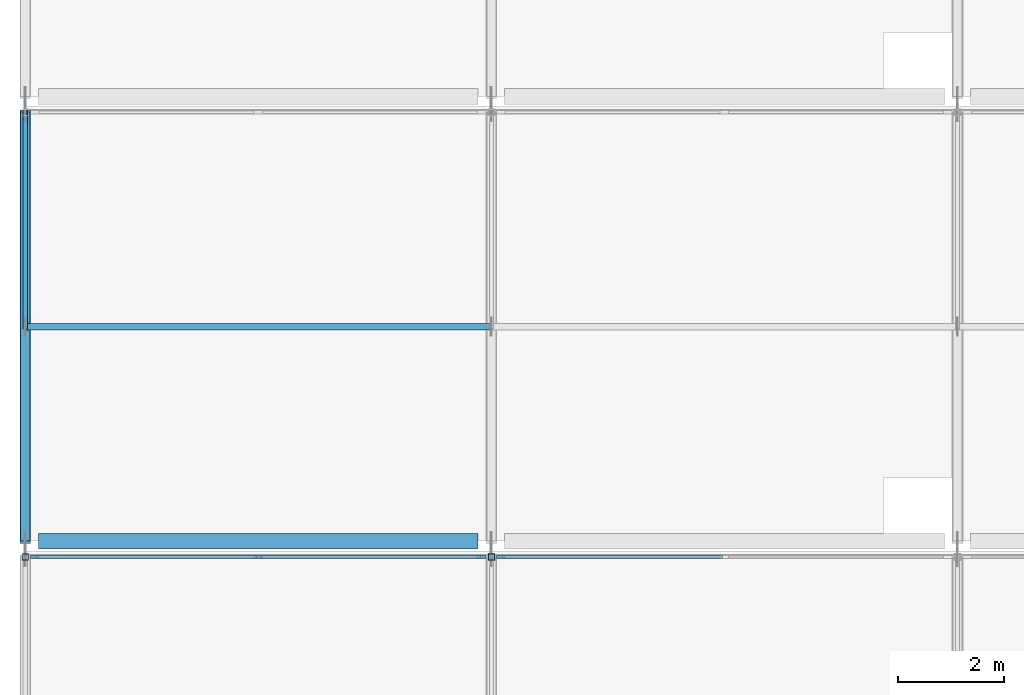
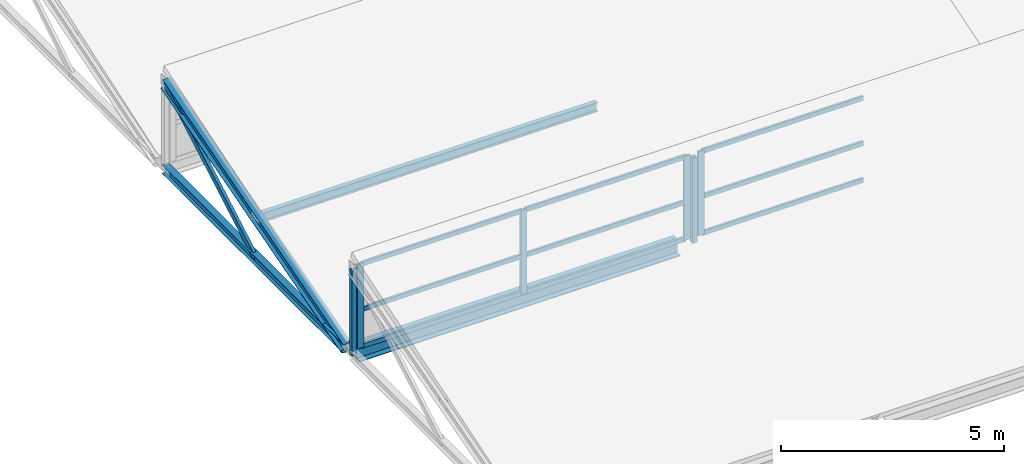
# One storey, part 2 of 40: 19 members, 1 beam, 2 elements without a shape of their own.
"""IFC4 building model written with IfcOpenShell, lengths in metres."""

import ifcopenshell
import ifcopenshell.guid

model = None  # the IFC model being written
_history = None  # IfcOwnerHistory: only IFC2X3 demands one
_inside = {}  # id of a spatial element -> (the spatial element, [elements in it])
_under = {}  # id of a project, library or spatial element -> (it, [spatial elements below it])
_declared = {}  # id of a project -> (the project, [libraries it declares])
_typed = {}  # id of a type object -> (the type object, [elements of that type])
_made_of = {}  # id of a material, layer set ... -> (it, [elements and type objects made of it])


def new_model(schema):
    """Start an empty IFC model of exactly this schema.

    Asked for "IFC4X3", IfcOpenShell would pick the latest addendum, in which some entities
    have other attributes; the version numbers below select the first issue.
    IFC2X3 requires an IfcOwnerHistory on every rooted entity: one is made here for all.
    """
    global model, _history
    if schema == "IFC4X3":
        model = ifcopenshell.file(schema_version=(4, 3, 0, 0))
    else:
        model = ifcopenshell.file(schema=schema)
    _inside.clear()
    _under.clear()
    _declared.clear()
    _typed.clear()
    _made_of.clear()
    _history = None
    if model.schema == "IFC2X3":
        org = make("IfcOrganization", Name="unknown")
        user = make(
            "IfcPersonAndOrganization",
            ThePerson=make("IfcPerson", FamilyName="unknown"),
            TheOrganization=org,
        )
        app = make(
            "IfcApplication",
            ApplicationDeveloper=org,
            Version="unknown",
            ApplicationFullName="unknown",
            ApplicationIdentifier="unknown",
        )
        _history = make(
            "IfcOwnerHistory",
            OwningUser=user,
            OwningApplication=app,
            ChangeAction="ADDED",
            CreationDate=0,
        )
    return model


def make(cls, **values):
    """One entity of the class cls with the attributes given. An attribute that is None is left unset."""
    return model.create_entity(
        cls, **{name: value for name, value in values.items() if value is not None}
    )


def rooted(cls, **values):
    """An entity with a GlobalId (a new one), such as an element, a storey or a relation."""
    return make(cls, GlobalId=ifcopenshell.guid.new(), OwnerHistory=_history, **values)


def si_unit(unit_type, name, prefix=None):
    """IfcSIUnit, for example si_unit("LENGTHUNIT", "METRE", prefix="MILLI")."""
    return make("IfcSIUnit", UnitType=unit_type, Prefix=prefix, Name=name)


def assignment(units):
    """IfcUnitAssignment: the units of a project."""
    return None if units is None else make("IfcUnitAssignment", Units=units)


def point(xyz):
    """IfcCartesianPoint."""
    return None if xyz is None else make("IfcCartesianPoint", Coordinates=xyz)


def direction(xyz):
    """IfcDirection."""
    return None if xyz is None else make("IfcDirection", DirectionRatios=xyz)


def frame(location, z_axis=None, x_axis=None):
    """IfcAxis2Placement3D, a coordinate frame: its origin and axes. An axis left out is left unset."""
    return make(
        "IfcAxis2Placement3D",
        Location=point(location),
        Axis=direction(z_axis),
        RefDirection=direction(x_axis),
    )


def frame_2d(location, x_axis=None):
    """IfcAxis2Placement2D, a coordinate frame in the plane: its origin and x axis."""
    return make(
        "IfcAxis2Placement2D", Location=point(location), RefDirection=direction(x_axis)
    )


def origin():
    """The frame at (0, 0, 0) with its axes left unset."""
    return frame((0.0, 0.0, 0.0))


def origin_2d():
    """The frame at (0, 0) in the plane with its x axis left unset."""
    return frame_2d((0.0, 0.0))


def place(relative_to, where):
    """IfcLocalPlacement: puts the frame where relative to a parent placement (None: the world)."""
    return make(
        "IfcLocalPlacement", PlacementRelTo=relative_to, RelativePlacement=where
    )


def context(
    kind, dimensions, precision=None, world=None, true_north=None, identifier=None
):
    """IfcGeometricRepresentationContext, for example the 3D "Model" context."""
    return make(
        "IfcGeometricRepresentationContext",
        ContextIdentifier=identifier,
        ContextType=kind,
        CoordinateSpaceDimension=dimensions,
        Precision=precision,
        WorldCoordinateSystem=world,
        TrueNorth=true_north,
    )


def subcontext(parent, identifier, kind, view, scale=None):
    """IfcGeometricRepresentationSubContext, for example "Body" below "Model"."""
    return make(
        "IfcGeometricRepresentationSubContext",
        ContextIdentifier=identifier,
        ContextType=kind,
        ParentContext=parent,
        TargetScale=scale,
        TargetView=view,
    )


def project(units=None, contexts=None):
    """IfcProject with its units and contexts."""
    return rooted(
        "IfcProject",
        Name="project",
        RepresentationContexts=contexts,
        UnitsInContext=assignment(units),
    )


def spatial(cls, under=None, at=None, **own):
    """A site, building, storey or space (cls), placed at a placement, below another one or the project."""
    s = rooted(cls, ObjectPlacement=at, **own)
    if under is not None:
        _under.setdefault(under.id(), (under, []))[1].append(s)
    return s


def profile(cls, at=None, kind="AREA", **sizes):
    """A parametric profile (cls). Its sizes go by their IFC names, for example OverallWidth=200.0."""
    return make(cls, ProfileType=kind, Position=at, **sizes)


def rectangle(**sizes):
    """IfcRectangleProfileDef."""
    return profile("IfcRectangleProfileDef", **sizes)


def hollow_rectangle(**sizes):
    """IfcRectangleHollowProfileDef."""
    return profile("IfcRectangleHollowProfileDef", **sizes)


def i_section(**sizes):
    """IfcIShapeProfileDef."""
    return profile("IfcIShapeProfileDef", **sizes)


def extrude(swept, where, along, depth):
    """IfcExtrudedAreaSolid: the profile swept, set in the frame where, extruded along a direction by depth."""
    return make(
        "IfcExtrudedAreaSolid",
        SweptArea=swept,
        Position=where,
        ExtrudedDirection=direction(along),
        Depth=depth,
    )


def shape(context_of_items, identifier, shape_type, items):
    """IfcShapeRepresentation: the items that make up one representation, for example the "Body"."""
    return make(
        "IfcShapeRepresentation",
        ContextOfItems=context_of_items,
        RepresentationIdentifier=identifier,
        RepresentationType=shape_type,
        Items=items,
    )


def material(Name=None, Category=None):
    """IfcMaterial."""
    return make("IfcMaterial", Name=Name, Category=Category)


def material_profile(
    of_material, cross_section, Name=None, Category=None, Priority=None
):
    """IfcMaterialProfile: a cross section and its material."""
    return make(
        "IfcMaterialProfile",
        Name=Name,
        Material=of_material,
        Profile=cross_section,
        Priority=Priority,
        Category=Category,
    )


def profile_set(profiles, Name=None, composite=None):
    """IfcMaterialProfileSet."""
    return make(
        "IfcMaterialProfileSet",
        Name=Name,
        MaterialProfiles=profiles,
        CompositeProfile=composite,
    )


def made_of(thing, what):
    """Note that an element or type object is made of a material, layer set ...; save() writes the relation."""
    if what is not None:
        _made_of.setdefault(what.id(), (what, []))[1].append(thing)
    return thing


def type_object(cls, material=None, **own):
    """A type object (cls), such as IfcWallType, which elements share."""
    return made_of(rooted(cls, **own), material)


def element(
    cls,
    number,
    at=None,
    inside=None,
    cuts=None,
    type_object=None,
    material=None,
    context=None,
    identifier="Body",
    shape_type=None,
    held_by="IfcProductDefinitionShape",
    body=None,
    shapes=None,
    **own,
):
    """One element of the class cls, such as IfcWall. Its Tag is "e" and its number.

    at: its placement. inside: the storey or other place that contains it. cuts: it is an
    opening in that element (IfcRelVoidsElement). A single representation is given by context,
    identifier, shape_type and body (its items); several are given by shapes. held_by: the class
    of the entity that holds the representations. save() writes the other relations.
    """
    e = rooted(cls, Tag="e%d" % number, ObjectPlacement=at, **own)
    if body is not None:
        shapes = [shape(context, identifier, shape_type, body)]
    if shapes is not None:
        e.Representation = make(held_by, Representations=shapes)
    if inside is not None:
        _inside.setdefault(inside.id(), (inside, []))[1].append(e)
    if cuts is not None:
        rooted(
            "IfcRelVoidsElement", RelatingBuildingElement=cuts, RelatedOpeningElement=e
        )
    if type_object is not None:
        _typed.setdefault(type_object.id(), (type_object, []))[1].append(e)
    return made_of(e, material)


def aggregate(whole, parts):
    """IfcRelAggregates: a whole, such as a stair, and the parts it consists of."""
    return rooted("IfcRelAggregates", RelatingObject=whole, RelatedObjects=parts)


def save(model, path):
    """Write the relations noted so far, then the file.

    IfcRelAggregates (storeys below a building ...), IfcRelContainedInSpatialStructure (elements
    in a storey), IfcRelDefinesByType, IfcRelAssociatesMaterial and IfcRelDeclares: one each for
    every whole, place, type object, material and project.
    """
    for whole, parts in _under.values():
        aggregate(whole, parts)
    for where, things in _inside.values():
        rooted(
            "IfcRelContainedInSpatialStructure",
            RelatedElements=things,
            RelatingStructure=where,
        )
    for kind, things in _typed.values():
        rooted("IfcRelDefinesByType", RelatedObjects=things, RelatingType=kind)
    for what, things in _made_of.values():
        rooted("IfcRelAssociatesMaterial", RelatedObjects=things, RelatingMaterial=what)
    for by, libraries in _declared.values():
        rooted("IfcRelDeclares", RelatingContext=by, RelatedDefinitions=libraries)
    model.write(path)


model = new_model("IFC4")

# Units and contexts
model_context = context("Model", 3, precision=1e-05, world=origin(), true_north=direction((0.0, 1.0)))
body_context = subcontext(model_context, "Body", "Model", "MODEL_VIEW")
ifc_project = project(units=[si_unit("LENGTHUNIT", "METRE"), si_unit("AREAUNIT", "SQUARE_METRE"), si_unit("VOLUMEUNIT", "CUBIC_METRE"), si_unit("PLANEANGLEUNIT", "RADIAN"), si_unit("MASSUNIT", "GRAM", prefix="KILO")], contexts=[model_context])

# Site, building, storey
site_placement = place(None, origin())
site = spatial("IfcSite", under=ifc_project, at=site_placement, CompositionType="ELEMENT")
building_placement = place(site_placement, origin())
building = spatial("IfcBuilding", under=site, at=building_placement, Name="Brinegate Botanical Conservatory", CompositionType="ELEMENT")
storey_placement = place(building_placement, frame((0.0, 0.0, 19.199951171875)))
storey = spatial("IfcBuildingStorey", under=building, at=storey_placement, Name="L05", CompositionType="ELEMENT", Elevation=19.199951171875)

# Beam
ifc_material_1 = material(Name="Structural steel Q355B / S355", Category="steel")
ifc_material_profile_1 = material_profile(ifc_material_1, i_section(OverallWidth=0.300048828125, OverallDepth=0.389892578125, WebThickness=0.010009765625, FlangeThickness=0.01611328125, at=origin_2d()), Name="HM 390x300x10x16")
ifc_profile_set_1 = profile_set([ifc_material_profile_1], Name="Structural steel Q355B / S355")
beam_type = type_object("IfcBeamType", Name="Beam_BM-S5", PredefinedType="BEAM", material=ifc_profile_set_1)
beam_placement = place(storey_placement, frame((51.050048828125, 95.199951171875, -0.179931640625), z_axis=(1.0, 0.0, 0.0), x_axis=(0.0, 1.0, 0.0)))
element("IfcBeam", 1, at=beam_placement, inside=storey, type_object=beam_type, Name="Sawtooth valley girder BM-S5 B2.1", PredefinedType="BEAM", context=body_context, shape_type="SweptSolid", body=[
    extrude(i_section(OverallWidth=0.300048828125, OverallDepth=0.389892578125, WebThickness=0.010009765625, FlangeThickness=0.01611328125, at=origin_2d()), origin(), (0.0, 0.0, 1.0), 8.300048828125),
])

# Curtain wall, members
ifc_material_2 = material(Name="Thermally broken anodised aluminium AW-6063-T6", Category="aluminium")
curtain_wall_type = type_object("IfcCurtainWallType", Name="CW_CW-SAW", PredefinedType="USERDEFINED", material=ifc_material_2)
curtain_wall_1_placement = place(storey_placement, origin())
curtain_wall_1 = element("IfcCurtainWall", 2, at=curtain_wall_1_placement, inside=storey, type_object=curtain_wall_type, Name="Sawtooth north-light clerestory B1.1", ObjectType="FACTORY CURTAIN WALL", PredefinedType="USERDEFINED")
ifc_material_profile_2 = material_profile(ifc_material_2, rectangle(XDim=0.06005859375, YDim=0.159912109375, at=origin_2d()), Name="ALUM MULLION 60x160")
ifc_profile_set_2 = profile_set([ifc_material_profile_2], Name="Thermally broken anodised aluminium AW-6063-T6")
member_type_1 = type_object("IfcMemberType", Name="Member_ML-01", PredefinedType="MULLION", material=ifc_profile_set_2)
member_1_placement = place(storey_placement, frame((50.97998046875, 94.89990234375, 0.150146484375), z_axis=(0.0, 0.0, 1.0), x_axis=(0.0, 1.0, 0.0)))
member_1 = element("IfcMember", 3, at=member_1_placement, type_object=member_type_1, Name="CW-SAW mullion 1", PredefinedType="MULLION", context=body_context, shape_type="SweptSolid", body=[
    extrude(rectangle(XDim=0.06005859375, YDim=0.159912109375, at=origin_2d()), origin(), (0.0, 0.0, 1.0), 2.2998046875),
])
member_2_placement = place(storey_placement, frame((55.199951171875, 94.89990234375, 0.150146484375), z_axis=(0.0, 0.0, 1.0), x_axis=(0.0, 1.0, 0.0)))
member_2 = element("IfcMember", 4, at=member_2_placement, type_object=member_type_1, Name="CW-SAW mullion 2", PredefinedType="MULLION", context=body_context, shape_type="SweptSolid", body=[
    extrude(rectangle(XDim=0.06005859375, YDim=0.159912109375, at=origin_2d()), origin(), (0.0, 0.0, 1.0), 2.2998046875),
])
member_3_placement = place(storey_placement, frame((59.419921875, 94.89990234375, 0.150146484375), z_axis=(0.0, 0.0, 1.0), x_axis=(0.0, 1.0, 0.0)))
member_3 = element("IfcMember", 5, at=member_3_placement, type_object=member_type_1, Name="CW-SAW mullion 3", PredefinedType="MULLION", context=body_context, shape_type="SweptSolid", body=[
    extrude(rectangle(XDim=0.06005859375, YDim=0.159912109375, at=origin_2d()), origin(), (0.0, 0.0, 1.0), 2.2998046875),
])

# Curtain wall, member
curtain_wall_2_placement = place(storey_placement, origin())
curtain_wall_2 = element("IfcCurtainWall", 6, at=curtain_wall_2_placement, inside=storey, type_object=curtain_wall_type, Name="Sawtooth north-light clerestory B1.2", ObjectType="FACTORY CURTAIN WALL", PredefinedType="USERDEFINED")
member_4_placement = place(storey_placement, frame((59.780029296875, 94.89990234375, 0.150146484375), z_axis=(0.0, 0.0, 1.0), x_axis=(0.0, 1.0, 0.0)))
member_4 = element("IfcMember", 7, at=member_4_placement, type_object=member_type_1, Name="CW-SAW mullion 1", PredefinedType="MULLION", context=body_context, shape_type="SweptSolid", body=[
    extrude(rectangle(XDim=0.06005859375, YDim=0.159912109375, at=origin_2d()), origin(), (0.0, 0.0, 1.0), 2.2998046875),
])

# Members
ifc_material_profile_3 = material_profile(ifc_material_1, hollow_rectangle(XDim=0.080078125, YDim=0.159912109375, WallThickness=0.006103515625, at=origin_2d()), Name="RHS 160x80x6")
ifc_profile_set_3 = profile_set([ifc_material_profile_3], Name="Structural steel Q355B / S355")
member_type_2 = type_object("IfcMemberType", Name="Member_SB-01", PredefinedType="BRACE", material=ifc_profile_set_3)
member_5_placement = place(storey_placement, frame((50.800048828125, 99.25, 0.02001953125), z_axis=(0.0, 0.866786044896, 0.49868021053), x_axis=(-1.0, 0.0, 0.0)))
element("IfcMember", 8, at=member_5_placement, inside=storey, type_object=member_type_2, Name="Sawtooth web diagonal SB-01 B2.T1", PredefinedType="BRACE", context=body_context, shape_type="SweptSolid", body=[
    extrude(hollow_rectangle(XDim=0.080078125, YDim=0.159912109375, WallThickness=0.006103515625, at=origin_2d()), origin(), (0.0, 0.0, 1.0), 4.672607421875),
])
ifc_material_profile_4 = material_profile(ifc_material_1, i_section(OverallWidth=0.199951171875, OverallDepth=0.2939453125, WebThickness=0.008056640625, FlangeThickness=0.011962890625, at=origin_2d()), Name="HM 294x200x8x12")
ifc_profile_set_4 = profile_set([ifc_material_profile_4], Name="Structural steel Q355B / S355")
member_type_3 = type_object("IfcMemberType", Name="Member_SC-01", PredefinedType="CHORD", material=ifc_profile_set_4)
member_6_placement = place(storey_placement, frame((50.800048828125, 95.199951171875, 0.02001953125), z_axis=(0.0, 0.961028334039, 0.276449889085), x_axis=(-1.0, 0.0, 0.0)))
element("IfcMember", 9, at=member_6_placement, inside=storey, type_object=member_type_3, Name="Sawtooth rafter chord SC-01 B2.T1", PredefinedType="CHORD", context=body_context, shape_type="SweptSolid", body=[
    extrude(i_section(OverallWidth=0.199951171875, OverallDepth=0.2939453125, WebThickness=0.008056640625, FlangeThickness=0.011962890625, at=origin_2d()), origin(), (0.0, 0.0, 1.0), 8.428466796875),
])
ifc_material_profile_5 = material_profile(ifc_material_1, i_section(OverallWidth=0.175048828125, OverallDepth=0.243896484375, WebThickness=0.007080078125, FlangeThickness=0.010986328125, at=origin_2d()), Name="HM 244x175x7x11")
ifc_profile_set_5 = profile_set([ifc_material_profile_5], Name="Structural steel Q355B / S355")
member_type_4 = type_object("IfcMemberType", Name="Member_SC-02", PredefinedType="CHORD", material=ifc_profile_set_5)
member_7_placement = place(storey_placement, frame((50.800048828125, 95.199951171875, 0.02001953125), z_axis=(0.0, 1.0, 0.0), x_axis=(-1.0, 0.0, 0.0)))
element("IfcMember", 10, at=member_7_placement, inside=storey, type_object=member_type_4, Name="Sawtooth bottom tie SC-02 B2.T1", PredefinedType="CHORD", context=body_context, shape_type="SweptSolid", body=[
    extrude(i_section(OverallWidth=0.175048828125, OverallDepth=0.243896484375, WebThickness=0.007080078125, FlangeThickness=0.010986328125, at=origin_2d()), origin(), (0.0, 0.0, 1.0), 8.10009765625),
])
ifc_material_profile_6 = material_profile(ifc_material_1, i_section(OverallWidth=0.125, OverallDepth=0.25, WebThickness=0.006103515625, FlangeThickness=0.009033203125, at=origin_2d()), Name="HN 250x125x6x9")
ifc_profile_set_6 = profile_set([ifc_material_profile_6], Name="Structural steel Q355B / S355")
member_type_5 = type_object("IfcMemberType", Name="Member_SPU-01", PredefinedType="PURLIN", material=ifc_profile_set_6)
member_8_placement = place(storey_placement, frame((50.800048828125, 99.25, 1.094970703125), z_axis=(1.0, 0.0, 0.0), x_axis=(0.0, 1.0, 0.0)))
element("IfcMember", 11, at=member_8_placement, inside=storey, type_object=member_type_5, Name="Sawtooth roof purlin SPU-01 B2.1", PredefinedType="PURLIN", context=body_context, shape_type="SweptSolid", body=[
    extrude(i_section(OverallWidth=0.125, OverallDepth=0.25, WebThickness=0.006103515625, FlangeThickness=0.009033203125, at=origin_2d()), origin(), (0.0, 0.0, 1.0), 8.800048828125),
])
ifc_material_profile_7 = material_profile(ifc_material_1, hollow_rectangle(XDim=0.1201171875, YDim=0.1201171875, WallThickness=0.006103515625, at=origin_2d()), Name="SHS 120x120x6")
ifc_profile_set_7 = profile_set([ifc_material_profile_7], Name="Structural steel Q355B / S355")
member_type_6 = type_object("IfcMemberType", Name="Member_SS-01", PredefinedType="STRUT", material=ifc_profile_set_7)
for number, where, z_axis, x_axis, name in (
    (12, (50.800048828125, 94.89990234375, 0.02001953125), (0.0, 0.0, 1.0), (1.0, 0.0, 0.0), "Sawtooth north clerestory post SS-01 B1.T1"),
    (13, (59.60009765625, 94.89990234375, 0.02001953125), (0.0, 0.0, 1.0), (1.0, 0.0, 0.0), "Sawtooth north clerestory post SS-01 B1.T2"),
):
    element("IfcMember", number, at=place(storey_placement, frame(where, z_axis=z_axis, x_axis=x_axis)), inside=storey, type_object=member_type_6, Name=name, PredefinedType="STRUT", context=body_context, shape_type="SweptSolid", body=[
        extrude(hollow_rectangle(XDim=0.1201171875, YDim=0.1201171875, WallThickness=0.006103515625, at=origin_2d()), origin(), (0.0, 0.0, 1.0), 2.330078125),
    ])

# Member
ifc_material_profile_8 = material_profile(ifc_material_2, rectangle(XDim=0.06005859375, YDim=0.1201171875, at=origin_2d()), Name="ALUM TRANSOM 60x120")
ifc_profile_set_8 = profile_set([ifc_material_profile_8], Name="Thermally broken anodised aluminium AW-6063-T6")
member_type_7 = type_object("IfcMemberType", Name="Member_TR-01", PredefinedType="USERDEFINED", material=ifc_profile_set_8)
member_9_placement = place(storey_placement, frame((51.010009765625, 94.89990234375, 0.179931640625), z_axis=(1.0, 0.0, 0.0), x_axis=(0.0, 1.0, 0.0)))
member_9 = element("IfcMember", 14, at=member_9_placement, type_object=member_type_7, Name="CW-SAW transom 1.1", ObjectType="TRANSOM", PredefinedType="USERDEFINED", context=body_context, shape_type="SweptSolid", body=[
    extrude(rectangle(XDim=0.06005859375, YDim=0.1201171875, at=origin_2d()), origin(), (0.0, 0.0, 1.0), 4.159912109375),
])

member_10_placement = place(storey_placement, frame((51.010009765625, 94.89990234375, 1.18505859375), z_axis=(1.0, 0.0, 0.0), x_axis=(0.0, 1.0, 0.0)))
member_10 = element("IfcMember", 15, at=member_10_placement, type_object=member_type_7, Name="CW-SAW transom 1.2", ObjectType="TRANSOM", PredefinedType="USERDEFINED", context=body_context, shape_type="SweptSolid", body=[
    extrude(rectangle(XDim=0.06005859375, YDim=0.1201171875, at=origin_2d()), origin(), (0.0, 0.0, 1.0), 4.159912109375),
])

member_11_placement = place(storey_placement, frame((51.010009765625, 94.89990234375, 2.420166015625), z_axis=(1.0, 0.0, 0.0), x_axis=(0.0, 1.0, 0.0)))
member_11 = element("IfcMember", 16, at=member_11_placement, type_object=member_type_7, Name="CW-SAW transom 1.3", ObjectType="TRANSOM", PredefinedType="USERDEFINED", context=body_context, shape_type="SweptSolid", body=[
    extrude(rectangle(XDim=0.06005859375, YDim=0.1201171875, at=origin_2d()), origin(), (0.0, 0.0, 1.0), 4.159912109375),
])

member_12_placement = place(storey_placement, frame((55.22998046875, 94.89990234375, 0.179931640625), z_axis=(1.0, 0.0, 0.0), x_axis=(0.0, 1.0, 0.0)))
member_12 = element("IfcMember", 17, at=member_12_placement, type_object=member_type_7, Name="CW-SAW transom 2.1", ObjectType="TRANSOM", PredefinedType="USERDEFINED", context=body_context, shape_type="SweptSolid", body=[
    extrude(rectangle(XDim=0.06005859375, YDim=0.1201171875, at=origin_2d()), origin(), (0.0, 0.0, 1.0), 4.159912109375),
])

member_13_placement = place(storey_placement, frame((55.22998046875, 94.89990234375, 1.18505859375), z_axis=(1.0, 0.0, 0.0), x_axis=(0.0, 1.0, 0.0)))
member_13 = element("IfcMember", 18, at=member_13_placement, type_object=member_type_7, Name="CW-SAW transom 2.2", ObjectType="TRANSOM", PredefinedType="USERDEFINED", context=body_context, shape_type="SweptSolid", body=[
    extrude(rectangle(XDim=0.06005859375, YDim=0.1201171875, at=origin_2d()), origin(), (0.0, 0.0, 1.0), 4.159912109375),
])

member_14_placement = place(storey_placement, frame((55.22998046875, 94.89990234375, 2.420166015625), z_axis=(1.0, 0.0, 0.0), x_axis=(0.0, 1.0, 0.0)))
member_14 = element("IfcMember", 19, at=member_14_placement, type_object=member_type_7, Name="CW-SAW transom 2.3", ObjectType="TRANSOM", PredefinedType="USERDEFINED", context=body_context, shape_type="SweptSolid", body=[
    extrude(rectangle(XDim=0.06005859375, YDim=0.1201171875, at=origin_2d()), origin(), (0.0, 0.0, 1.0), 4.159912109375),
])

aggregate(curtain_wall_1, [member_1, member_2, member_3, member_9, member_10, member_11, member_12, member_13, member_14])

member_15_placement = place(storey_placement, frame((59.81005859375, 94.89990234375, 0.179931640625), z_axis=(1.0, 0.0, 0.0), x_axis=(0.0, 1.0, 0.0)))
member_15 = element("IfcMember", 20, at=member_15_placement, type_object=member_type_7, Name="CW-SAW transom 1.1", ObjectType="TRANSOM", PredefinedType="USERDEFINED", context=body_context, shape_type="SweptSolid", body=[
    extrude(rectangle(XDim=0.06005859375, YDim=0.1201171875, at=origin_2d()), origin(), (0.0, 0.0, 1.0), 4.159912109375),
])

member_16_placement = place(storey_placement, frame((59.81005859375, 94.89990234375, 1.18505859375), z_axis=(1.0, 0.0, 0.0), x_axis=(0.0, 1.0, 0.0)))
member_16 = element("IfcMember", 21, at=member_16_placement, type_object=member_type_7, Name="CW-SAW transom 1.2", ObjectType="TRANSOM", PredefinedType="USERDEFINED", context=body_context, shape_type="SweptSolid", body=[
    extrude(rectangle(XDim=0.06005859375, YDim=0.1201171875, at=origin_2d()), origin(), (0.0, 0.0, 1.0), 4.159912109375),
])

member_17_placement = place(storey_placement, frame((59.81005859375, 94.89990234375, 2.420166015625), z_axis=(1.0, 0.0, 0.0), x_axis=(0.0, 1.0, 0.0)))
member_17 = element("IfcMember", 22, at=member_17_placement, type_object=member_type_7, Name="CW-SAW transom 1.3", ObjectType="TRANSOM", PredefinedType="USERDEFINED", context=body_context, shape_type="SweptSolid", body=[
    extrude(rectangle(XDim=0.06005859375, YDim=0.1201171875, at=origin_2d()), origin(), (0.0, 0.0, 1.0), 4.159912109375),
])

aggregate(curtain_wall_2, [member_4, member_15, member_16, member_17])

save(model, "model.ifc")
